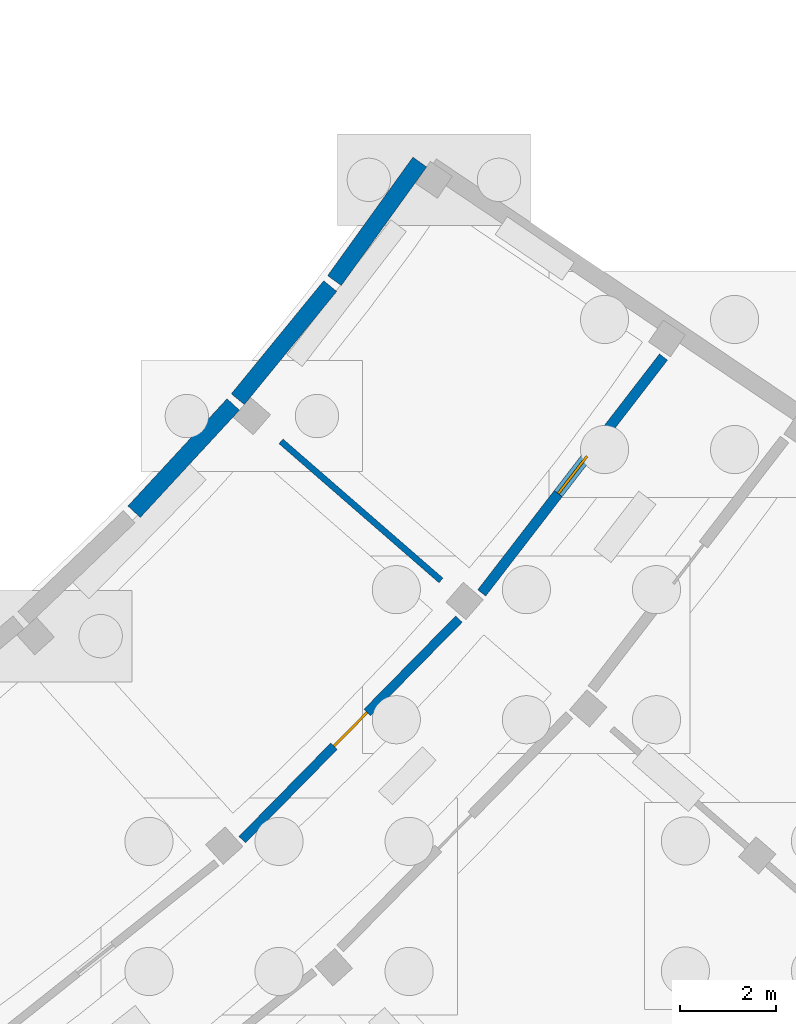
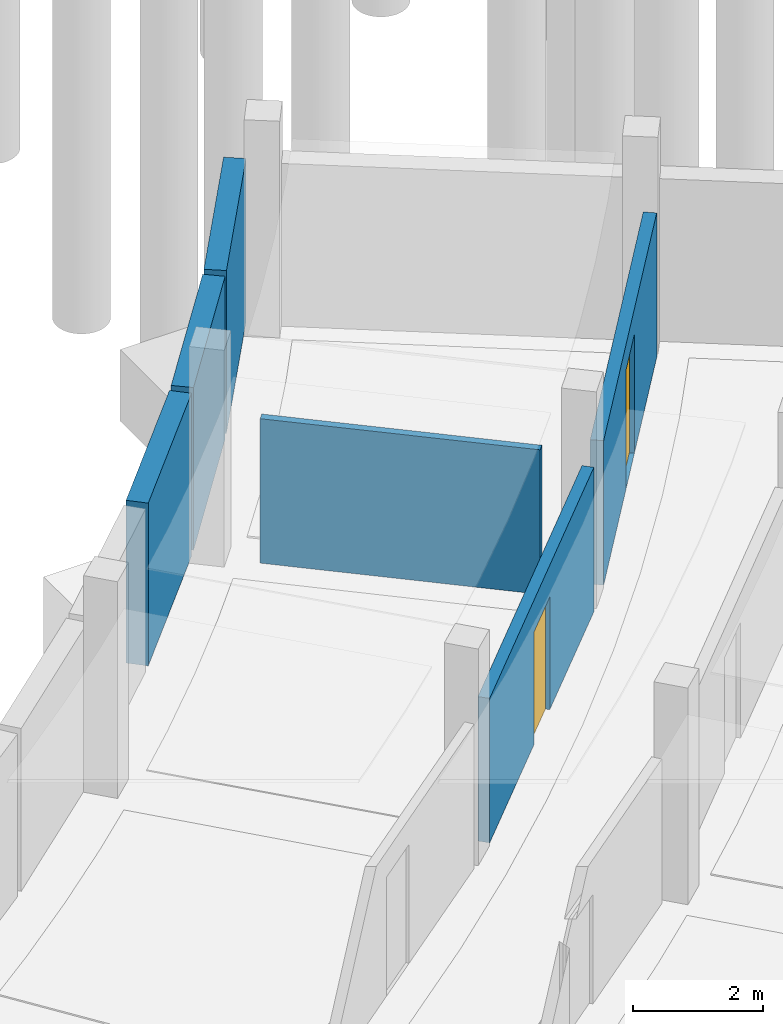
# One storey, part 43 of 58: 6 walls, 2 doors, 2 openings.
"""IFC4 building model written with IfcOpenShell, lengths in metres."""

from ifc_helpers import new_model, si_unit, direction, frame, frame_2d, origin, place, context, subcontext, project, spatial, rectangle, extrude, material, layer, layer_set, type_object, element, fill, save


model = new_model("IFC4")

# Units and contexts
model_context = context("Model", 3, precision=1e-05, world=origin(), true_north=direction((0.0, 1.0)))
body_context = subcontext(model_context, "Body", "Model", "MODEL_VIEW")
ifc_project = project(units=[si_unit("LENGTHUNIT", "METRE"), si_unit("AREAUNIT", "SQUARE_METRE"), si_unit("VOLUMEUNIT", "CUBIC_METRE"), si_unit("PLANEANGLEUNIT", "RADIAN"), si_unit("MASSUNIT", "GRAM", prefix="KILO")], contexts=[model_context])

# Site, building, storey
site_placement = place(None, origin())
site = spatial("IfcSite", under=ifc_project, at=site_placement, CompositionType="ELEMENT")
building_placement = place(site_placement, origin())
building = spatial("IfcBuilding", under=site, at=building_placement, Name="Caldaven Crescent School", CompositionType="ELEMENT")
storey_placement = place(building_placement, frame((0.0, 0.0, -4.080078125)))
storey = spatial("IfcBuildingStorey", under=building, at=storey_placement, Name="B1", CompositionType="ELEMENT", Elevation=-4.080078125)

# Wall, opening, door
ifc_material_1 = material(Name="Acoustic timber-stud and fire-rated gypsum board assembly", Category="wood")
ifc_layer_1 = layer(ifc_material_1, 0.18994140625)
ifc_layer_set_1 = layer_set([ifc_layer_1], Name="Acoustic timber-stud and fire-rated gypsum board assembly")
wall_type_1 = type_object("IfcWallType", Name="WAL-IW04", PredefinedType="STANDARD", material=ifc_layer_set_1)
wall_1_placement = place(storey_placement, frame((127.383056640625, 52.797607421875, 0.0), z_axis=(0.0, 0.0, 1.0), x_axis=(0.700900509406, 0.713259052459, 0.0)))
wall_1 = element("IfcWall", 1, at=wall_1_placement, inside=storey, type_object=wall_type_1, Name="IW-B1-0163", PredefinedType="STANDARD", context=body_context, shape_type="SweptSolid", body=[
    extrude(rectangle(XDim=6.42041015625, YDim=0.18994140625, at=frame_2d((3.210205078125, 0.0))), origin(), (0.0, 0.0, 1.0), 2.719970703125),
])
opening_1_placement = place(wall_1_placement, frame((2.72021484375, 0.0, 0.0)))
opening_1 = element("IfcOpeningElement", 2, at=opening_1_placement, cuts=wall_1, Name="Opening D-B1-I113", PredefinedType="OPENING", context=body_context, shape_type="SweptSolid", body=[
    extrude(rectangle(XDim=0.97998046875, YDim=2.1201171875, at=frame_2d((0.489990234375, 1.06005859375))), frame((0.0, 0.10498046875, 0.0), z_axis=(0.0, -1.0, 0.0), x_axis=(1.0, 0.0, 0.0)), (0.0, 0.0, 1.0), 0.2099609375),
])
ifc_material_2 = material(Name="Solid-core Pino Radiata acoustic timber leaf in steel frame", Category="steel")
door_type_1 = type_object("IfcDoorType", Name="DOR-ID14", OperationType="NOTDEFINED", PredefinedType="DOOR", material=ifc_material_2)
door_1_placement = place(opening_1_placement, frame((0.97998046875, 0.0, 0.0), z_axis=(0.0, 0.0, 1.0), x_axis=(-1.0, 0.0, 0.0)))
door_1 = element("IfcDoor", 3, at=door_1_placement, inside=storey, type_object=door_type_1, Name="DOR-INT-B1-0113", OperationType="SINGLE_SWING_RIGHT", OverallHeight=2.1201171875, OverallWidth=0.97998046875, PredefinedType="DOOR", context=body_context, shape_type="SweptSolid", body=[
    extrude(rectangle(XDim=0.97998046875, YDim=2.1201171875, at=frame_2d((0.489990234375, 1.06005859375))), frame((0.0, 0.02490234375, 0.0), z_axis=(0.0, -1.0, 0.0), x_axis=(1.0, 0.0, 0.0)), (0.0, 0.0, 1.0), 0.050048828125),
])
fill(opening_1, door_1)

ifc_layer_2 = layer(ifc_material_1, 0.2099609375)
ifc_layer_set_2 = layer_set([ifc_layer_2], Name="Acoustic timber-stud and fire-rated gypsum board assembly")
wall_type_2 = type_object("IfcWallType", Name="WAL-IW06", PredefinedType="STANDARD", material=ifc_layer_set_2)
wall_2_placement = place(storey_placement, frame((132.355224609375, 57.9189453125, 0.0), z_axis=(0.0, 0.0, 1.0), x_axis=(0.610376740954, 0.79211125109, 0.0)))
wall_2 = element("IfcWall", 4, at=wall_2_placement, inside=storey, type_object=wall_type_2, Name="IW-B1-0165", PredefinedType="STANDARD", context=body_context, shape_type="SweptSolid", body=[
    extrude(rectangle(XDim=6.180908203125, YDim=0.2099609375, at=frame_2d((3.09033203125, 0.0))), origin(), (0.0, 0.0, 1.0), 2.719970703125),
])
opening_2_placement = place(wall_2_placement, frame((2.6005859375, 0.0, 0.0)))
opening_2 = element("IfcOpeningElement", 5, at=opening_2_placement, cuts=wall_2, Name="Opening D-B1-I115", PredefinedType="OPENING", context=body_context, shape_type="SweptSolid", body=[
    extrude(rectangle(XDim=0.97998046875, YDim=2.239990234375, at=frame_2d((0.489990234375, 1.1201171875))), frame((0.0, 0.114990234375, 0.0), z_axis=(0.0, -1.0, 0.0), x_axis=(1.0, 0.0, 0.0)), (0.0, 0.0, 1.0), 0.22998046875),
])
door_type_2 = type_object("IfcDoorType", Name="DOR-ID16", OperationType="NOTDEFINED", PredefinedType="DOOR", material=ifc_material_2)
door_2_placement = place(opening_2_placement, frame((0.97998046875, 0.0, 0.0), z_axis=(0.0, 0.0, 1.0), x_axis=(-1.0, 0.0, 0.0)))
door_2 = element("IfcDoor", 6, at=door_2_placement, inside=storey, type_object=door_type_2, Name="DOR-INT-B1-0115", OperationType="SINGLE_SWING_RIGHT", OverallHeight=2.239990234375, OverallWidth=0.97998046875, PredefinedType="DOOR", context=body_context, shape_type="SweptSolid", body=[
    extrude(rectangle(XDim=0.97998046875, YDim=2.239990234375, at=frame_2d((0.489990234375, 1.1201171875))), frame((0.0, 0.02490234375, 0.0), z_axis=(0.0, -1.0, 0.0), x_axis=(1.0, 0.0, 0.0)), (0.0, 0.0, 1.0), 0.050048828125),
])
fill(opening_2, door_2)

# Walls
ifc_material_3 = material(Name="Acoustic double-layer gypsum partition on galvanised steel studs", Category="steel")
ifc_layer_3 = layer(ifc_material_3, 0.1279296875)
ifc_layer_set_3 = layer_set([ifc_layer_3], Name="Acoustic double-layer gypsum partition on galvanised steel studs")
wall_type_3 = type_object("IfcWallType", Name="WAL-PT08", PredefinedType="PARTITIONING", material=ifc_layer_set_3)
wall_3_placement = place(storey_placement, frame((128.188232421875, 61.06494140625, 0.0), z_axis=(0.0, 0.0, 1.0), x_axis=(0.75471062989, -0.656057821484, 0.0)))
element("IfcWall", 7, at=wall_3_placement, inside=storey, type_object=wall_type_3, Name="IW-B1-0167", PredefinedType="PARTITIONING", context=body_context, shape_type="SweptSolid", body=[
    extrude(rectangle(XDim=4.400146484375, YDim=0.1279296875, at=frame_2d((2.2001953125, 0.0))), origin(), (0.0, 0.0, 1.0), 2.719970703125),
])
ifc_material_4 = material(Name="Concrete C30/37", Category="concrete")
ifc_layer_4 = layer(ifc_material_4, 0.35009765625)
ifc_layer_set_4 = layer_set([ifc_layer_4], Name="Concrete C30/37")
wall_type_4 = type_object("IfcWallType", Name="WAL-RW1", PredefinedType="USERDEFINED", material=ifc_layer_set_4)
wall_4_placement = place(storey_placement, frame((125.139892578125, 59.6044921875, 0.0), z_axis=(0.0, 0.0, 1.0), x_axis=(0.678811877156, 0.734312219313, 0.0)))
element("IfcWall", 8, at=wall_4_placement, inside=storey, type_object=wall_type_4, Name="RW-CRESC-IN-29", ObjectType="RETAININGWALL", PredefinedType="USERDEFINED", context=body_context, shape_type="SweptSolid", body=[
    extrude(rectangle(XDim=3.03076171875, YDim=0.35009765625, at=frame_2d((1.515380859375, 0.0))), origin(), (0.0, 0.0, 1.0), 3.065185546875),
])
wall_5_placement = place(storey_placement, frame((127.29248046875, 61.939697265625, 0.0), z_axis=(0.0, 0.0, 1.0), x_axis=(0.632706899842, 0.77439136029, 0.0)))
element("IfcWall", 9, at=wall_5_placement, inside=storey, type_object=wall_type_4, Name="RW-CRESC-IN-30", ObjectType="RETAININGWALL", PredefinedType="USERDEFINED", context=body_context, shape_type="SweptSolid", body=[
    extrude(rectangle(XDim=3.031005859375, YDim=0.35009765625, at=frame_2d((1.515625, 0.0))), origin(), (0.0, 0.0, 1.0), 3.065185546875),
])
wall_6_placement = place(storey_placement, frame((129.298583984375, 64.402099609375, 0.0), z_axis=(0.0, 0.0, 1.0), x_axis=(0.584251673289, 0.811572536659, 0.0)))
element("IfcWall", 10, at=wall_6_placement, inside=storey, type_object=wall_type_4, Name="RW-CRESC-IN-31", ObjectType="RETAININGWALL", PredefinedType="USERDEFINED", context=body_context, shape_type="SweptSolid", body=[
    extrude(rectangle(XDim=3.03076171875, YDim=0.35009765625, at=frame_2d((1.515380859375, 0.0))), origin(), (0.0, 0.0, 1.0), 3.065185546875),
])

save(model, "model.ifc")
